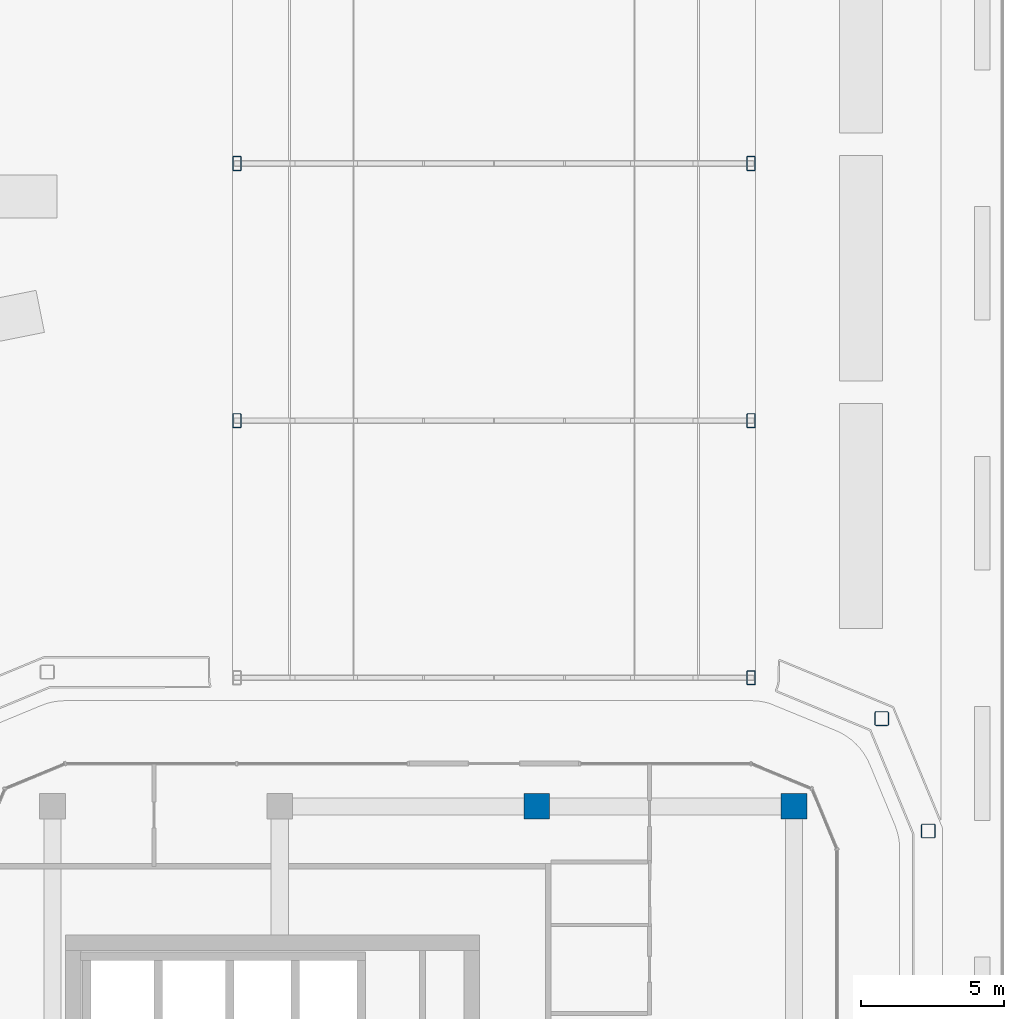
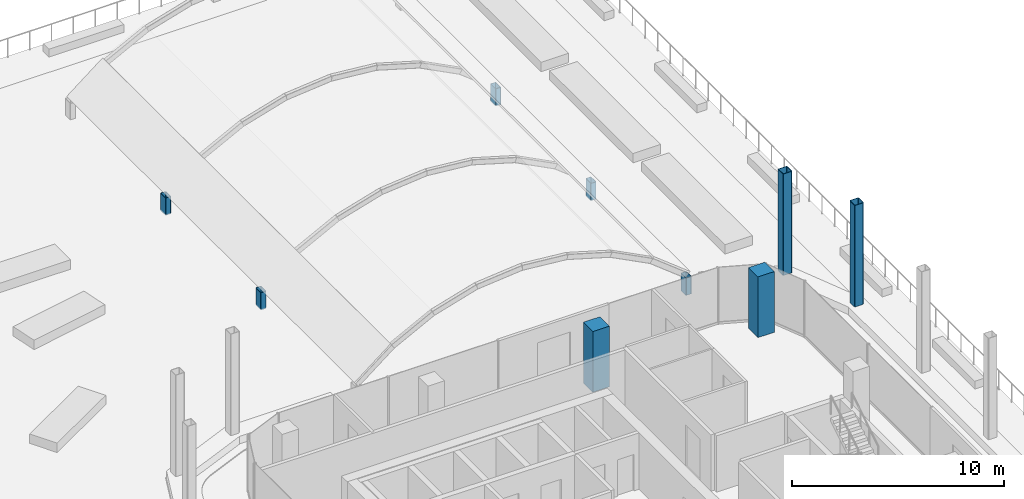
# One storey, part 4 of 33: 9 columns.
"""IFC4 building model written with IfcOpenShell, lengths in metres."""

from ifc_helpers import new_model, si_unit, direction, frame, origin, origin_2d, place, context, subcontext, project, spatial, rectangle, hollow_rectangle, extrude, material, material_profile, profile_set, type_object, element, save


model = new_model("IFC4")

# Units and contexts
model_context = context("Model", 3, precision=1e-05, world=origin(), true_north=direction((0.0, 1.0)))
body_context = subcontext(model_context, "Body", "Model", "MODEL_VIEW")
ifc_project = project(units=[si_unit("LENGTHUNIT", "METRE"), si_unit("AREAUNIT", "SQUARE_METRE"), si_unit("VOLUMEUNIT", "CUBIC_METRE"), si_unit("PLANEANGLEUNIT", "RADIAN"), si_unit("MASSUNIT", "GRAM", prefix="KILO")], contexts=[model_context])

# Site, building, storey
site_placement = place(None, origin())
site = spatial("IfcSite", under=ifc_project, at=site_placement, CompositionType="ELEMENT")
building_placement = place(site_placement, origin())
building = spatial("IfcBuilding", under=site, at=building_placement, Name="Plateau Cross Towers", CompositionType="ELEMENT")
storey_placement = place(building_placement, frame((0.0, 0.0, 26.800048828125)))
storey = spatial("IfcBuildingStorey", under=building, at=storey_placement, Name="L05", CompositionType="ELEMENT", Elevation=26.800048828125)

# Columns
ifc_material_1 = material(Name="Concrete C60/75", Category="concrete")
ifc_material_profile_1 = material_profile(ifc_material_1, rectangle(XDim=0.89990234375, YDim=0.89990234375, at=origin_2d()), Name="RC 900x900")
ifc_profile_set_1 = profile_set([ifc_material_profile_1], Name="Concrete C60/75")
column_type_1 = type_object("IfcColumnType", Name="Office column RC 900x900", PredefinedType="COLUMN", material=ifc_profile_set_1)
for number, where, z_axis, x_axis, name in (
    (1, (100.5, 22.5, 0.0), (0.0, 0.0, 1.0), (1.0, 0.0, 0.0), "B-C1005_225 L05"),
    (2, (91.5, 22.5, 0.0), (0.0, 0.0, 1.0), (1.0, 0.0, 0.0), "B-C915_225 L05"),
):
    element("IfcColumn", number, at=place(storey_placement, frame(where, z_axis=z_axis, x_axis=x_axis)), inside=storey, type_object=column_type_1, Name=name, PredefinedType="COLUMN", context=body_context, shape_type="SweptSolid", body=[
        extrude(rectangle(XDim=0.89990234375, YDim=0.89990234375, at=origin_2d()), origin(), (0.0, 0.0, 1.0), 3.5),
    ])
ifc_material_2 = material(Name="Steel S355", Category="steel")
ifc_material_profile_2 = material_profile(ifc_material_2, hollow_rectangle(XDim=0.300048828125, YDim=0.5, WallThickness=0.01611328125, InnerFilletRadius=0.01611328125, OuterFilletRadius=0.031982421875, at=origin_2d()), Name="RHS 500x300x16")
ifc_profile_set_2 = profile_set([ifc_material_profile_2], Name="Steel S355")
column_type_2 = type_object("IfcColumnType", Name="Pavilion post RHS 500x300x16", PredefinedType="COLUMN", material=ifc_profile_set_2)
for number, where, z_axis, x_axis, name in (
    (3, (99.0, 27.0, 0.0), (0.0, 0.0, 1.0), (1.0, 0.0, 0.0), "Pavilion post 1-2"),
    (4, (81.0, 36.0, 0.0), (0.0, 0.0, 1.0), (1.0, 0.0, 0.0), "Pavilion post 2-1"),
    (5, (99.0, 36.0, 0.0), (0.0, 0.0, 1.0), (1.0, 0.0, 0.0), "Pavilion post 2-2"),
    (6, (81.0, 45.0, 0.0), (0.0, 0.0, 1.0), (1.0, 0.0, 0.0), "Pavilion post 3-1"),
    (7, (99.0, 45.0, 0.0), (0.0, 0.0, 1.0), (1.0, 0.0, 0.0), "Pavilion post 3-2"),
):
    element("IfcColumn", number, at=place(storey_placement, frame(where, z_axis=z_axis, x_axis=x_axis)), inside=storey, type_object=column_type_2, Name=name, PredefinedType="COLUMN", context=body_context, shape_type="SweptSolid", body=[
        extrude(hollow_rectangle(XDim=0.300048828125, YDim=0.5, WallThickness=0.01611328125, InnerFilletRadius=0.01611328125, OuterFilletRadius=0.031982421875, at=origin_2d()), origin(), (0.0, 0.0, 1.0), 1.0),
    ])
ifc_material_profile_3 = material_profile(ifc_material_2, hollow_rectangle(XDim=0.5, YDim=0.5, WallThickness=0.02490234375, InnerFilletRadius=0.02490234375, OuterFilletRadius=0.050048828125, at=origin_2d()), Name="SHS 500x500x25")
ifc_profile_set_3 = profile_set([ifc_material_profile_3], Name="Steel S355")
column_type_3 = type_object("IfcColumnType", Name="Plinth column SHS 500x500x25", PredefinedType="COLUMN", material=ifc_profile_set_3)
for number, where, z_axis, x_axis, name in (
    (8, (103.570556640625, 25.570556640625, 0.449951171875), (0.0, 0.0, 1.0), (1.0, 0.0, 0.0), "Plinth column 08"),
    (9, (105.199951171875, 21.636474609375, 0.449951171875), (0.0, 0.0, 1.0), (1.0, 0.0, 0.0), "Plinth column 09"),
):
    element("IfcColumn", number, at=place(storey_placement, frame(where, z_axis=z_axis, x_axis=x_axis)), inside=storey, type_object=column_type_3, Name=name, PredefinedType="COLUMN", context=body_context, shape_type="SweptSolid", body=[
        extrude(hollow_rectangle(XDim=0.5, YDim=0.5, WallThickness=0.02490234375, InnerFilletRadius=0.02490234375, OuterFilletRadius=0.050048828125, at=origin_2d()), origin(), (0.0, 0.0, 1.0), 5.85009765625),
    ])

save(model, "model.ifc")
